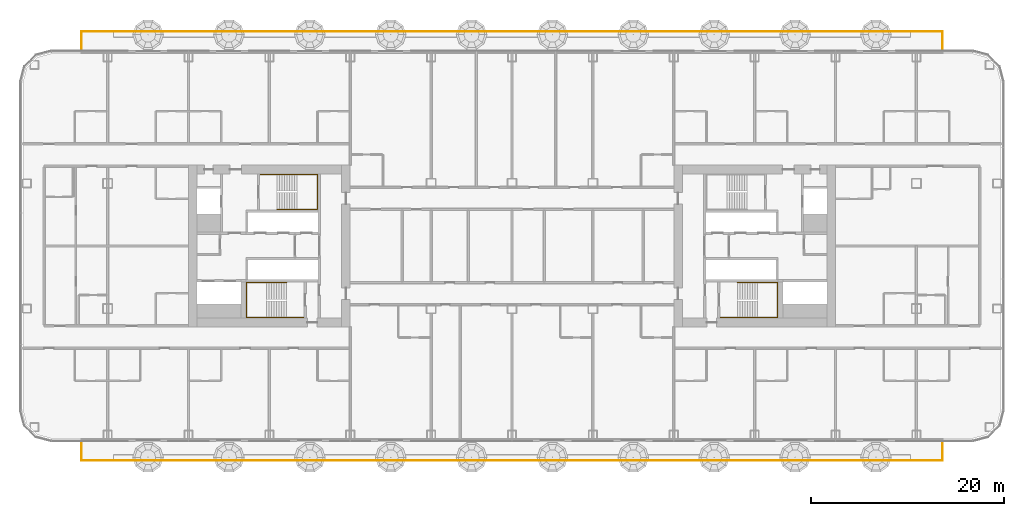
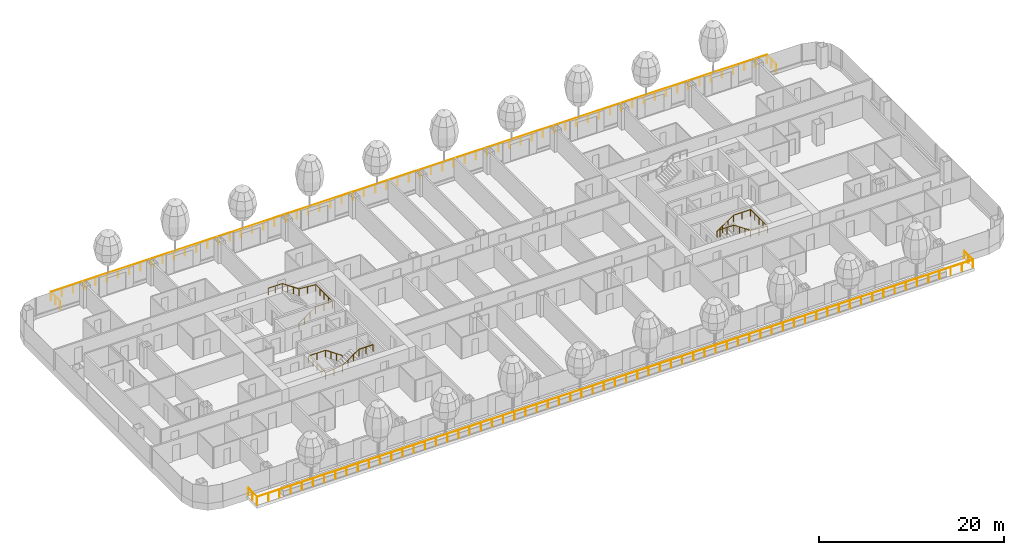
# One storey, part 28 of 35: 5 railings.
"""IFC4 building model written with IfcOpenShell, lengths in metres."""

import ifcopenshell
import ifcopenshell.guid

model = None  # the IFC model being written
_history = None  # IfcOwnerHistory: only IFC2X3 demands one
_inside = {}  # id of a spatial element -> (the spatial element, [elements in it])
_under = {}  # id of a project, library or spatial element -> (it, [spatial elements below it])
_declared = {}  # id of a project -> (the project, [libraries it declares])
_typed = {}  # id of a type object -> (the type object, [elements of that type])
_made_of = {}  # id of a material, layer set ... -> (it, [elements and type objects made of it])


def new_model(schema):
    """Start an empty IFC model of exactly this schema.

    Asked for "IFC4X3", IfcOpenShell would pick the latest addendum, in which some entities
    have other attributes; the version numbers below select the first issue.
    IFC2X3 requires an IfcOwnerHistory on every rooted entity: one is made here for all.
    """
    global model, _history
    if schema == "IFC4X3":
        model = ifcopenshell.file(schema_version=(4, 3, 0, 0))
    else:
        model = ifcopenshell.file(schema=schema)
    _inside.clear()
    _under.clear()
    _declared.clear()
    _typed.clear()
    _made_of.clear()
    _history = None
    if model.schema == "IFC2X3":
        org = make("IfcOrganization", Name="unknown")
        user = make(
            "IfcPersonAndOrganization",
            ThePerson=make("IfcPerson", FamilyName="unknown"),
            TheOrganization=org,
        )
        app = make(
            "IfcApplication",
            ApplicationDeveloper=org,
            Version="unknown",
            ApplicationFullName="unknown",
            ApplicationIdentifier="unknown",
        )
        _history = make(
            "IfcOwnerHistory",
            OwningUser=user,
            OwningApplication=app,
            ChangeAction="ADDED",
            CreationDate=0,
        )
    return model


def make(cls, **values):
    """One entity of the class cls with the attributes given. An attribute that is None is left unset."""
    return model.create_entity(
        cls, **{name: value for name, value in values.items() if value is not None}
    )


def rooted(cls, **values):
    """An entity with a GlobalId (a new one), such as an element, a storey or a relation."""
    return make(cls, GlobalId=ifcopenshell.guid.new(), OwnerHistory=_history, **values)


def si_unit(unit_type, name, prefix=None):
    """IfcSIUnit, for example si_unit("LENGTHUNIT", "METRE", prefix="MILLI")."""
    return make("IfcSIUnit", UnitType=unit_type, Prefix=prefix, Name=name)


def assignment(units):
    """IfcUnitAssignment: the units of a project."""
    return None if units is None else make("IfcUnitAssignment", Units=units)


def point(xyz):
    """IfcCartesianPoint."""
    return None if xyz is None else make("IfcCartesianPoint", Coordinates=xyz)


def direction(xyz):
    """IfcDirection."""
    return None if xyz is None else make("IfcDirection", DirectionRatios=xyz)


def frame(location, z_axis=None, x_axis=None):
    """IfcAxis2Placement3D, a coordinate frame: its origin and axes. An axis left out is left unset."""
    return make(
        "IfcAxis2Placement3D",
        Location=point(location),
        Axis=direction(z_axis),
        RefDirection=direction(x_axis),
    )


def frame_2d(location, x_axis=None):
    """IfcAxis2Placement2D, a coordinate frame in the plane: its origin and x axis."""
    return make(
        "IfcAxis2Placement2D", Location=point(location), RefDirection=direction(x_axis)
    )


def origin():
    """The frame at (0, 0, 0) with its axes left unset."""
    return frame((0.0, 0.0, 0.0))


def origin_2d():
    """The frame at (0, 0) in the plane with its x axis left unset."""
    return frame_2d((0.0, 0.0))


def place(relative_to, where):
    """IfcLocalPlacement: puts the frame where relative to a parent placement (None: the world)."""
    return make(
        "IfcLocalPlacement", PlacementRelTo=relative_to, RelativePlacement=where
    )


def context(
    kind, dimensions, precision=None, world=None, true_north=None, identifier=None
):
    """IfcGeometricRepresentationContext, for example the 3D "Model" context."""
    return make(
        "IfcGeometricRepresentationContext",
        ContextIdentifier=identifier,
        ContextType=kind,
        CoordinateSpaceDimension=dimensions,
        Precision=precision,
        WorldCoordinateSystem=world,
        TrueNorth=true_north,
    )


def subcontext(parent, identifier, kind, view, scale=None):
    """IfcGeometricRepresentationSubContext, for example "Body" below "Model"."""
    return make(
        "IfcGeometricRepresentationSubContext",
        ContextIdentifier=identifier,
        ContextType=kind,
        ParentContext=parent,
        TargetScale=scale,
        TargetView=view,
    )


def project(units=None, contexts=None):
    """IfcProject with its units and contexts."""
    return rooted(
        "IfcProject",
        Name="project",
        RepresentationContexts=contexts,
        UnitsInContext=assignment(units),
    )


def spatial(cls, under=None, at=None, **own):
    """A site, building, storey or space (cls), placed at a placement, below another one or the project."""
    s = rooted(cls, ObjectPlacement=at, **own)
    if under is not None:
        _under.setdefault(under.id(), (under, []))[1].append(s)
    return s


def profile(cls, at=None, kind="AREA", **sizes):
    """A parametric profile (cls). Its sizes go by their IFC names, for example OverallWidth=200.0."""
    return make(cls, ProfileType=kind, Position=at, **sizes)


def circle(**sizes):
    """IfcCircleProfileDef."""
    return profile("IfcCircleProfileDef", **sizes)


def extrude(swept, where, along, depth):
    """IfcExtrudedAreaSolid: the profile swept, set in the frame where, extruded along a direction by depth."""
    return make(
        "IfcExtrudedAreaSolid",
        SweptArea=swept,
        Position=where,
        ExtrudedDirection=direction(along),
        Depth=depth,
    )


def shape(context_of_items, identifier, shape_type, items):
    """IfcShapeRepresentation: the items that make up one representation, for example the "Body"."""
    return make(
        "IfcShapeRepresentation",
        ContextOfItems=context_of_items,
        RepresentationIdentifier=identifier,
        RepresentationType=shape_type,
        Items=items,
    )


def material(Name=None, Category=None):
    """IfcMaterial."""
    return make("IfcMaterial", Name=Name, Category=Category)


def made_of(thing, what):
    """Note that an element or type object is made of a material, layer set ...; save() writes the relation."""
    if what is not None:
        _made_of.setdefault(what.id(), (what, []))[1].append(thing)
    return thing


def type_object(cls, material=None, **own):
    """A type object (cls), such as IfcWallType, which elements share."""
    return made_of(rooted(cls, **own), material)


def element(
    cls,
    number,
    at=None,
    inside=None,
    cuts=None,
    type_object=None,
    material=None,
    context=None,
    identifier="Body",
    shape_type=None,
    held_by="IfcProductDefinitionShape",
    body=None,
    shapes=None,
    **own,
):
    """One element of the class cls, such as IfcWall. Its Tag is "e" and its number.

    at: its placement. inside: the storey or other place that contains it. cuts: it is an
    opening in that element (IfcRelVoidsElement). A single representation is given by context,
    identifier, shape_type and body (its items); several are given by shapes. held_by: the class
    of the entity that holds the representations. save() writes the other relations.
    """
    e = rooted(cls, Tag="e%d" % number, ObjectPlacement=at, **own)
    if body is not None:
        shapes = [shape(context, identifier, shape_type, body)]
    if shapes is not None:
        e.Representation = make(held_by, Representations=shapes)
    if inside is not None:
        _inside.setdefault(inside.id(), (inside, []))[1].append(e)
    if cuts is not None:
        rooted(
            "IfcRelVoidsElement", RelatingBuildingElement=cuts, RelatedOpeningElement=e
        )
    if type_object is not None:
        _typed.setdefault(type_object.id(), (type_object, []))[1].append(e)
    return made_of(e, material)


def aggregate(whole, parts):
    """IfcRelAggregates: a whole, such as a stair, and the parts it consists of."""
    return rooted("IfcRelAggregates", RelatingObject=whole, RelatedObjects=parts)


def save(model, path):
    """Write the relations noted so far, then the file.

    IfcRelAggregates (storeys below a building ...), IfcRelContainedInSpatialStructure (elements
    in a storey), IfcRelDefinesByType, IfcRelAssociatesMaterial and IfcRelDeclares: one each for
    every whole, place, type object, material and project.
    """
    for whole, parts in _under.values():
        aggregate(whole, parts)
    for where, things in _inside.values():
        rooted(
            "IfcRelContainedInSpatialStructure",
            RelatedElements=things,
            RelatingStructure=where,
        )
    for kind, things in _typed.values():
        rooted("IfcRelDefinesByType", RelatedObjects=things, RelatingType=kind)
    for what, things in _made_of.values():
        rooted("IfcRelAssociatesMaterial", RelatedObjects=things, RelatingMaterial=what)
    for by, libraries in _declared.values():
        rooted("IfcRelDeclares", RelatingContext=by, RelatedDefinitions=libraries)
    model.write(path)


model = new_model("IFC4")

# Units and contexts
model_context = context("Model", 3, precision=1e-05, world=origin(), true_north=direction((0.0, 1.0)))
body_context = subcontext(model_context, "Body", "Model", "MODEL_VIEW")
ifc_project = project(units=[si_unit("LENGTHUNIT", "METRE"), si_unit("AREAUNIT", "SQUARE_METRE"), si_unit("VOLUMEUNIT", "CUBIC_METRE"), si_unit("PLANEANGLEUNIT", "RADIAN"), si_unit("MASSUNIT", "GRAM", prefix="KILO")], contexts=[model_context])

# Site, building, storey
site_placement = place(None, origin())
site = spatial("IfcSite", under=ifc_project, at=site_placement, CompositionType="ELEMENT")
building_placement = place(site_placement, origin())
building = spatial("IfcBuilding", under=site, at=building_placement, Name="Hakoniwa Tower and Hamabe Station Hall", CompositionType="ELEMENT")
storey_placement = place(building_placement, frame((0.0, 0.0, 51.800048828125)))
storey = spatial("IfcBuildingStorey", under=building, at=storey_placement, Name="L14", CompositionType="ELEMENT", Elevation=51.800048828125)

# Railings
ifc_material_1 = material(Name="Stainless steel and laminated glass", Category="steel")
railing_type_1 = type_object("IfcRailingType", Name="BALCONY BALUSTRADE 1100", PredefinedType="BALUSTRADE", material=ifc_material_1)
railing_1_placement = place(storey_placement, frame((-44.699951171875, 20.300048828125, 0.0)))
element("IfcRailing", 1, at=railing_1_placement, inside=storey, type_object=railing_type_1, Name="Balcony balustrade", PredefinedType="BALUSTRADE", context=body_context, shape_type="SweptSolid", body=[
    extrude(circle(Radius=0.02392578125, at=origin_2d()), frame((0.0, 0.0, 1.076171875), z_axis=(0.0, 1.0, 0.0), x_axis=(-1.0, 0.0, 0.0)), (0.0, 0.0, 1.0), 2.0),
    extrude(circle(Radius=0.02392578125, at=origin_2d()), frame((0.0, 2.0, 1.076171875), z_axis=(1.0, 0.0, 0.0), x_axis=(0.0, 1.0, 0.0)), (0.0, 0.0, 1.0), 89.39990234375),
    extrude(circle(Radius=0.02392578125, at=origin_2d()), frame((89.39990234375, 2.0, 1.076171875), z_axis=(0.0, -1.0, 0.0), x_axis=(1.0, 0.0, 0.0)), (0.0, 0.0, 1.0), 2.0),
    extrude(circle(Radius=0.02099609375, at=origin_2d()), origin(), (0.0, 0.0, 1.0), 1.052001953125),
    extrude(circle(Radius=0.02099609375, at=origin_2d()), frame((0.0, 1.0, 0.0)), (0.0, 0.0, 1.0), 1.052001953125),
    extrude(circle(Radius=0.02099609375, at=origin_2d()), frame((0.0, 2.0, 0.0)), (0.0, 0.0, 1.0), 1.052001953125),
    extrude(circle(Radius=0.02099609375, at=origin_2d()), frame((1.39697265625, 2.0, 0.0)), (0.0, 0.0, 1.0), 1.052001953125),
    extrude(circle(Radius=0.02099609375, at=origin_2d()), frame((2.793701171875, 2.0, 0.0)), (0.0, 0.0, 1.0), 1.052001953125),
    extrude(circle(Radius=0.02099609375, at=origin_2d()), frame((4.190673828125, 2.0, 0.0)), (0.0, 0.0, 1.0), 1.052001953125),
    extrude(circle(Radius=0.02099609375, at=origin_2d()), frame((5.58740234375, 2.0, 0.0)), (0.0, 0.0, 1.0), 1.052001953125),
    extrude(circle(Radius=0.02099609375, at=origin_2d()), frame((6.984375, 2.0, 0.0)), (0.0, 0.0, 1.0), 1.052001953125),
    extrude(circle(Radius=0.02099609375, at=origin_2d()), frame((8.38134765625, 2.0, 0.0)), (0.0, 0.0, 1.0), 1.052001953125),
    extrude(circle(Radius=0.02099609375, at=origin_2d()), frame((9.778076171875, 2.0, 0.0)), (0.0, 0.0, 1.0), 1.052001953125),
    extrude(circle(Radius=0.02099609375, at=origin_2d()), frame((11.175048828125, 2.0, 0.0)), (0.0, 0.0, 1.0), 1.052001953125),
    extrude(circle(Radius=0.02099609375, at=origin_2d()), frame((12.57177734375, 2.0, 0.0)), (0.0, 0.0, 1.0), 1.052001953125),
    extrude(circle(Radius=0.02099609375, at=origin_2d()), frame((13.96875, 2.0, 0.0)), (0.0, 0.0, 1.0), 1.052001953125),
    extrude(circle(Radius=0.02099609375, at=origin_2d()), frame((15.36572265625, 2.0, 0.0)), (0.0, 0.0, 1.0), 1.052001953125),
    extrude(circle(Radius=0.02099609375, at=origin_2d()), frame((16.762451171875, 2.0, 0.0)), (0.0, 0.0, 1.0), 1.052001953125),
    extrude(circle(Radius=0.02099609375, at=origin_2d()), frame((18.159423828125, 2.0, 0.0)), (0.0, 0.0, 1.0), 1.052001953125),
    extrude(circle(Radius=0.02099609375, at=origin_2d()), frame((19.55615234375, 2.0, 0.0)), (0.0, 0.0, 1.0), 1.052001953125),
    extrude(circle(Radius=0.02099609375, at=origin_2d()), frame((20.953125, 2.0, 0.0)), (0.0, 0.0, 1.0), 1.052001953125),
    extrude(circle(Radius=0.02099609375, at=origin_2d()), frame((22.35009765625, 2.0, 0.0)), (0.0, 0.0, 1.0), 1.052001953125),
    extrude(circle(Radius=0.02099609375, at=origin_2d()), frame((23.746826171875, 2.0, 0.0)), (0.0, 0.0, 1.0), 1.052001953125),
    extrude(circle(Radius=0.02099609375, at=origin_2d()), frame((25.143798828125, 2.0, 0.0)), (0.0, 0.0, 1.0), 1.052001953125),
    extrude(circle(Radius=0.02099609375, at=origin_2d()), frame((26.54052734375, 2.0, 0.0)), (0.0, 0.0, 1.0), 1.052001953125),
    extrude(circle(Radius=0.02099609375, at=origin_2d()), frame((27.9375, 2.0, 0.0)), (0.0, 0.0, 1.0), 1.052001953125),
    extrude(circle(Radius=0.02099609375, at=origin_2d()), frame((29.334228515625, 2.0, 0.0)), (0.0, 0.0, 1.0), 1.052001953125),
    extrude(circle(Radius=0.02099609375, at=origin_2d()), frame((30.731201171875, 2.0, 0.0)), (0.0, 0.0, 1.0), 1.052001953125),
    extrude(circle(Radius=0.02099609375, at=origin_2d()), frame((32.128173828125, 2.0, 0.0)), (0.0, 0.0, 1.0), 1.052001953125),
    extrude(circle(Radius=0.02099609375, at=origin_2d()), frame((33.52490234375, 2.0, 0.0)), (0.0, 0.0, 1.0), 1.052001953125),
    extrude(circle(Radius=0.02099609375, at=origin_2d()), frame((34.921875, 2.0, 0.0)), (0.0, 0.0, 1.0), 1.052001953125),
    extrude(circle(Radius=0.02099609375, at=origin_2d()), frame((36.318603515625, 2.0, 0.0)), (0.0, 0.0, 1.0), 1.052001953125),
    extrude(circle(Radius=0.02099609375, at=origin_2d()), frame((37.715576171875, 2.0, 0.0)), (0.0, 0.0, 1.0), 1.052001953125),
    extrude(circle(Radius=0.02099609375, at=origin_2d()), frame((39.112548828125, 2.0, 0.0)), (0.0, 0.0, 1.0), 1.052001953125),
    extrude(circle(Radius=0.02099609375, at=origin_2d()), frame((40.50927734375, 2.0, 0.0)), (0.0, 0.0, 1.0), 1.052001953125),
    extrude(circle(Radius=0.02099609375, at=origin_2d()), frame((41.90625, 2.0, 0.0)), (0.0, 0.0, 1.0), 1.052001953125),
    extrude(circle(Radius=0.02099609375, at=origin_2d()), frame((43.302978515625, 2.0, 0.0)), (0.0, 0.0, 1.0), 1.052001953125),
    extrude(circle(Radius=0.02099609375, at=origin_2d()), frame((44.699951171875, 2.0, 0.0)), (0.0, 0.0, 1.0), 1.052001953125),
    extrude(circle(Radius=0.02099609375, at=origin_2d()), frame((46.096923828125, 2.0, 0.0)), (0.0, 0.0, 1.0), 1.052001953125),
    extrude(circle(Radius=0.02099609375, at=origin_2d()), frame((47.49365234375, 2.0, 0.0)), (0.0, 0.0, 1.0), 1.052001953125),
    extrude(circle(Radius=0.02099609375, at=origin_2d()), frame((48.890625, 2.0, 0.0)), (0.0, 0.0, 1.0), 1.052001953125),
    extrude(circle(Radius=0.02099609375, at=origin_2d()), frame((50.287353515625, 2.0, 0.0)), (0.0, 0.0, 1.0), 1.052001953125),
    extrude(circle(Radius=0.02099609375, at=origin_2d()), frame((51.684326171875, 2.0, 0.0)), (0.0, 0.0, 1.0), 1.052001953125),
    extrude(circle(Radius=0.02099609375, at=origin_2d()), frame((53.081298828125, 2.0, 0.0)), (0.0, 0.0, 1.0), 1.052001953125),
    extrude(circle(Radius=0.02099609375, at=origin_2d()), frame((54.47802734375, 2.0, 0.0)), (0.0, 0.0, 1.0), 1.052001953125),
    extrude(circle(Radius=0.02099609375, at=origin_2d()), frame((55.875, 2.0, 0.0)), (0.0, 0.0, 1.0), 1.052001953125),
    extrude(circle(Radius=0.02099609375, at=origin_2d()), frame((57.271728515625, 2.0, 0.0)), (0.0, 0.0, 1.0), 1.052001953125),
    extrude(circle(Radius=0.02099609375, at=origin_2d()), frame((58.668701171875, 2.0, 0.0)), (0.0, 0.0, 1.0), 1.052001953125),
    extrude(circle(Radius=0.02099609375, at=origin_2d()), frame((60.065673828125, 2.0, 0.0)), (0.0, 0.0, 1.0), 1.052001953125),
    extrude(circle(Radius=0.02099609375, at=origin_2d()), frame((61.46240234375, 2.0, 0.0)), (0.0, 0.0, 1.0), 1.052001953125),
    extrude(circle(Radius=0.02099609375, at=origin_2d()), frame((62.859375, 2.0, 0.0)), (0.0, 0.0, 1.0), 1.052001953125),
    extrude(circle(Radius=0.02099609375, at=origin_2d()), frame((64.256103515625, 2.0, 0.0)), (0.0, 0.0, 1.0), 1.052001953125),
    extrude(circle(Radius=0.02099609375, at=origin_2d()), frame((65.653076171875, 2.0, 0.0)), (0.0, 0.0, 1.0), 1.052001953125),
    extrude(circle(Radius=0.02099609375, at=origin_2d()), frame((67.0498046875, 2.0, 0.0)), (0.0, 0.0, 1.0), 1.052001953125),
    extrude(circle(Radius=0.02099609375, at=origin_2d()), frame((68.44677734375, 2.0, 0.0)), (0.0, 0.0, 1.0), 1.052001953125),
    extrude(circle(Radius=0.02099609375, at=origin_2d()), frame((69.84375, 2.0, 0.0)), (0.0, 0.0, 1.0), 1.052001953125),
    extrude(circle(Radius=0.02099609375, at=origin_2d()), frame((71.240478515625, 2.0, 0.0)), (0.0, 0.0, 1.0), 1.052001953125),
    extrude(circle(Radius=0.02099609375, at=origin_2d()), frame((72.637451171875, 2.0, 0.0)), (0.0, 0.0, 1.0), 1.052001953125),
    extrude(circle(Radius=0.02099609375, at=origin_2d()), frame((74.0341796875, 2.0, 0.0)), (0.0, 0.0, 1.0), 1.052001953125),
    extrude(circle(Radius=0.02099609375, at=origin_2d()), frame((75.43115234375, 2.0, 0.0)), (0.0, 0.0, 1.0), 1.052001953125),
    extrude(circle(Radius=0.02099609375, at=origin_2d()), frame((76.828125, 2.0, 0.0)), (0.0, 0.0, 1.0), 1.052001953125),
    extrude(circle(Radius=0.02099609375, at=origin_2d()), frame((78.224853515625, 2.0, 0.0)), (0.0, 0.0, 1.0), 1.052001953125),
    extrude(circle(Radius=0.02099609375, at=origin_2d()), frame((79.621826171875, 2.0, 0.0)), (0.0, 0.0, 1.0), 1.052001953125),
    extrude(circle(Radius=0.02099609375, at=origin_2d()), frame((81.0185546875, 2.0, 0.0)), (0.0, 0.0, 1.0), 1.052001953125),
    extrude(circle(Radius=0.02099609375, at=origin_2d()), frame((82.41552734375, 2.0, 0.0)), (0.0, 0.0, 1.0), 1.052001953125),
    extrude(circle(Radius=0.02099609375, at=origin_2d()), frame((83.8125, 2.0, 0.0)), (0.0, 0.0, 1.0), 1.052001953125),
    extrude(circle(Radius=0.02099609375, at=origin_2d()), frame((85.209228515625, 2.0, 0.0)), (0.0, 0.0, 1.0), 1.052001953125),
    extrude(circle(Radius=0.02099609375, at=origin_2d()), frame((86.606201171875, 2.0, 0.0)), (0.0, 0.0, 1.0), 1.052001953125),
    extrude(circle(Radius=0.02099609375, at=origin_2d()), frame((88.0029296875, 2.0, 0.0)), (0.0, 0.0, 1.0), 1.052001953125),
    extrude(circle(Radius=0.02099609375, at=origin_2d()), frame((89.39990234375, 2.0, 0.0)), (0.0, 0.0, 1.0), 1.052001953125),
    extrude(circle(Radius=0.02099609375, at=origin_2d()), frame((89.39990234375, 1.0, 0.0)), (0.0, 0.0, 1.0), 1.052001953125),
    extrude(circle(Radius=0.02099609375, at=origin_2d()), frame((89.39990234375, 0.0, 0.0)), (0.0, 0.0, 1.0), 1.052001953125),
])
railing_2_placement = place(storey_placement, frame((-44.699951171875, -20.300048828125, 0.0)))
element("IfcRailing", 2, at=railing_2_placement, inside=storey, type_object=railing_type_1, Name="Balcony balustrade", PredefinedType="BALUSTRADE", context=body_context, shape_type="SweptSolid", body=[
    extrude(circle(Radius=0.02392578125, at=origin_2d()), frame((0.0, 0.0, 1.076171875), z_axis=(0.0, -1.0, 0.0), x_axis=(1.0, 0.0, 0.0)), (0.0, 0.0, 1.0), 2.0),
    extrude(circle(Radius=0.02392578125, at=origin_2d()), frame((0.0, -2.0, 1.076171875), z_axis=(1.0, 0.0, 0.0), x_axis=(0.0, 1.0, 0.0)), (0.0, 0.0, 1.0), 89.39990234375),
    extrude(circle(Radius=0.02392578125, at=origin_2d()), frame((89.39990234375, -2.0, 1.076171875), z_axis=(0.0, 1.0, 0.0), x_axis=(-1.0, 0.0, 0.0)), (0.0, 0.0, 1.0), 2.0),
    extrude(circle(Radius=0.02099609375, at=origin_2d()), origin(), (0.0, 0.0, 1.0), 1.052001953125),
    extrude(circle(Radius=0.02099609375, at=origin_2d()), frame((0.0, -1.0, 0.0)), (0.0, 0.0, 1.0), 1.052001953125),
    extrude(circle(Radius=0.02099609375, at=origin_2d()), frame((0.0, -2.0, 0.0)), (0.0, 0.0, 1.0), 1.052001953125),
    extrude(circle(Radius=0.02099609375, at=origin_2d()), frame((1.39697265625, -2.0, 0.0)), (0.0, 0.0, 1.0), 1.052001953125),
    extrude(circle(Radius=0.02099609375, at=origin_2d()), frame((2.793701171875, -2.0, 0.0)), (0.0, 0.0, 1.0), 1.052001953125),
    extrude(circle(Radius=0.02099609375, at=origin_2d()), frame((4.190673828125, -2.0, 0.0)), (0.0, 0.0, 1.0), 1.052001953125),
    extrude(circle(Radius=0.02099609375, at=origin_2d()), frame((5.58740234375, -2.0, 0.0)), (0.0, 0.0, 1.0), 1.052001953125),
    extrude(circle(Radius=0.02099609375, at=origin_2d()), frame((6.984375, -2.0, 0.0)), (0.0, 0.0, 1.0), 1.052001953125),
    extrude(circle(Radius=0.02099609375, at=origin_2d()), frame((8.38134765625, -2.0, 0.0)), (0.0, 0.0, 1.0), 1.052001953125),
    extrude(circle(Radius=0.02099609375, at=origin_2d()), frame((9.778076171875, -2.0, 0.0)), (0.0, 0.0, 1.0), 1.052001953125),
    extrude(circle(Radius=0.02099609375, at=origin_2d()), frame((11.175048828125, -2.0, 0.0)), (0.0, 0.0, 1.0), 1.052001953125),
    extrude(circle(Radius=0.02099609375, at=origin_2d()), frame((12.57177734375, -2.0, 0.0)), (0.0, 0.0, 1.0), 1.052001953125),
    extrude(circle(Radius=0.02099609375, at=origin_2d()), frame((13.96875, -2.0, 0.0)), (0.0, 0.0, 1.0), 1.052001953125),
    extrude(circle(Radius=0.02099609375, at=origin_2d()), frame((15.36572265625, -2.0, 0.0)), (0.0, 0.0, 1.0), 1.052001953125),
    extrude(circle(Radius=0.02099609375, at=origin_2d()), frame((16.762451171875, -2.0, 0.0)), (0.0, 0.0, 1.0), 1.052001953125),
    extrude(circle(Radius=0.02099609375, at=origin_2d()), frame((18.159423828125, -2.0, 0.0)), (0.0, 0.0, 1.0), 1.052001953125),
    extrude(circle(Radius=0.02099609375, at=origin_2d()), frame((19.55615234375, -2.0, 0.0)), (0.0, 0.0, 1.0), 1.052001953125),
    extrude(circle(Radius=0.02099609375, at=origin_2d()), frame((20.953125, -2.0, 0.0)), (0.0, 0.0, 1.0), 1.052001953125),
    extrude(circle(Radius=0.02099609375, at=origin_2d()), frame((22.35009765625, -2.0, 0.0)), (0.0, 0.0, 1.0), 1.052001953125),
    extrude(circle(Radius=0.02099609375, at=origin_2d()), frame((23.746826171875, -2.0, 0.0)), (0.0, 0.0, 1.0), 1.052001953125),
    extrude(circle(Radius=0.02099609375, at=origin_2d()), frame((25.143798828125, -2.0, 0.0)), (0.0, 0.0, 1.0), 1.052001953125),
    extrude(circle(Radius=0.02099609375, at=origin_2d()), frame((26.54052734375, -2.0, 0.0)), (0.0, 0.0, 1.0), 1.052001953125),
    extrude(circle(Radius=0.02099609375, at=origin_2d()), frame((27.9375, -2.0, 0.0)), (0.0, 0.0, 1.0), 1.052001953125),
    extrude(circle(Radius=0.02099609375, at=origin_2d()), frame((29.334228515625, -2.0, 0.0)), (0.0, 0.0, 1.0), 1.052001953125),
    extrude(circle(Radius=0.02099609375, at=origin_2d()), frame((30.731201171875, -2.0, 0.0)), (0.0, 0.0, 1.0), 1.052001953125),
    extrude(circle(Radius=0.02099609375, at=origin_2d()), frame((32.128173828125, -2.0, 0.0)), (0.0, 0.0, 1.0), 1.052001953125),
    extrude(circle(Radius=0.02099609375, at=origin_2d()), frame((33.52490234375, -2.0, 0.0)), (0.0, 0.0, 1.0), 1.052001953125),
    extrude(circle(Radius=0.02099609375, at=origin_2d()), frame((34.921875, -2.0, 0.0)), (0.0, 0.0, 1.0), 1.052001953125),
    extrude(circle(Radius=0.02099609375, at=origin_2d()), frame((36.318603515625, -2.0, 0.0)), (0.0, 0.0, 1.0), 1.052001953125),
    extrude(circle(Radius=0.02099609375, at=origin_2d()), frame((37.715576171875, -2.0, 0.0)), (0.0, 0.0, 1.0), 1.052001953125),
    extrude(circle(Radius=0.02099609375, at=origin_2d()), frame((39.112548828125, -2.0, 0.0)), (0.0, 0.0, 1.0), 1.052001953125),
    extrude(circle(Radius=0.02099609375, at=origin_2d()), frame((40.50927734375, -2.0, 0.0)), (0.0, 0.0, 1.0), 1.052001953125),
    extrude(circle(Radius=0.02099609375, at=origin_2d()), frame((41.90625, -2.0, 0.0)), (0.0, 0.0, 1.0), 1.052001953125),
    extrude(circle(Radius=0.02099609375, at=origin_2d()), frame((43.302978515625, -2.0, 0.0)), (0.0, 0.0, 1.0), 1.052001953125),
    extrude(circle(Radius=0.02099609375, at=origin_2d()), frame((44.699951171875, -2.0, 0.0)), (0.0, 0.0, 1.0), 1.052001953125),
    extrude(circle(Radius=0.02099609375, at=origin_2d()), frame((46.096923828125, -2.0, 0.0)), (0.0, 0.0, 1.0), 1.052001953125),
    extrude(circle(Radius=0.02099609375, at=origin_2d()), frame((47.49365234375, -2.0, 0.0)), (0.0, 0.0, 1.0), 1.052001953125),
    extrude(circle(Radius=0.02099609375, at=origin_2d()), frame((48.890625, -2.0, 0.0)), (0.0, 0.0, 1.0), 1.052001953125),
    extrude(circle(Radius=0.02099609375, at=origin_2d()), frame((50.287353515625, -2.0, 0.0)), (0.0, 0.0, 1.0), 1.052001953125),
    extrude(circle(Radius=0.02099609375, at=origin_2d()), frame((51.684326171875, -2.0, 0.0)), (0.0, 0.0, 1.0), 1.052001953125),
    extrude(circle(Radius=0.02099609375, at=origin_2d()), frame((53.081298828125, -2.0, 0.0)), (0.0, 0.0, 1.0), 1.052001953125),
    extrude(circle(Radius=0.02099609375, at=origin_2d()), frame((54.47802734375, -2.0, 0.0)), (0.0, 0.0, 1.0), 1.052001953125),
    extrude(circle(Radius=0.02099609375, at=origin_2d()), frame((55.875, -2.0, 0.0)), (0.0, 0.0, 1.0), 1.052001953125),
    extrude(circle(Radius=0.02099609375, at=origin_2d()), frame((57.271728515625, -2.0, 0.0)), (0.0, 0.0, 1.0), 1.052001953125),
    extrude(circle(Radius=0.02099609375, at=origin_2d()), frame((58.668701171875, -2.0, 0.0)), (0.0, 0.0, 1.0), 1.052001953125),
    extrude(circle(Radius=0.02099609375, at=origin_2d()), frame((60.065673828125, -2.0, 0.0)), (0.0, 0.0, 1.0), 1.052001953125),
    extrude(circle(Radius=0.02099609375, at=origin_2d()), frame((61.46240234375, -2.0, 0.0)), (0.0, 0.0, 1.0), 1.052001953125),
    extrude(circle(Radius=0.02099609375, at=origin_2d()), frame((62.859375, -2.0, 0.0)), (0.0, 0.0, 1.0), 1.052001953125),
    extrude(circle(Radius=0.02099609375, at=origin_2d()), frame((64.256103515625, -2.0, 0.0)), (0.0, 0.0, 1.0), 1.052001953125),
    extrude(circle(Radius=0.02099609375, at=origin_2d()), frame((65.653076171875, -2.0, 0.0)), (0.0, 0.0, 1.0), 1.052001953125),
    extrude(circle(Radius=0.02099609375, at=origin_2d()), frame((67.0498046875, -2.0, 0.0)), (0.0, 0.0, 1.0), 1.052001953125),
    extrude(circle(Radius=0.02099609375, at=origin_2d()), frame((68.44677734375, -2.0, 0.0)), (0.0, 0.0, 1.0), 1.052001953125),
    extrude(circle(Radius=0.02099609375, at=origin_2d()), frame((69.84375, -2.0, 0.0)), (0.0, 0.0, 1.0), 1.052001953125),
    extrude(circle(Radius=0.02099609375, at=origin_2d()), frame((71.240478515625, -2.0, 0.0)), (0.0, 0.0, 1.0), 1.052001953125),
    extrude(circle(Radius=0.02099609375, at=origin_2d()), frame((72.637451171875, -2.0, 0.0)), (0.0, 0.0, 1.0), 1.052001953125),
    extrude(circle(Radius=0.02099609375, at=origin_2d()), frame((74.0341796875, -2.0, 0.0)), (0.0, 0.0, 1.0), 1.052001953125),
    extrude(circle(Radius=0.02099609375, at=origin_2d()), frame((75.43115234375, -2.0, 0.0)), (0.0, 0.0, 1.0), 1.052001953125),
    extrude(circle(Radius=0.02099609375, at=origin_2d()), frame((76.828125, -2.0, 0.0)), (0.0, 0.0, 1.0), 1.052001953125),
    extrude(circle(Radius=0.02099609375, at=origin_2d()), frame((78.224853515625, -2.0, 0.0)), (0.0, 0.0, 1.0), 1.052001953125),
    extrude(circle(Radius=0.02099609375, at=origin_2d()), frame((79.621826171875, -2.0, 0.0)), (0.0, 0.0, 1.0), 1.052001953125),
    extrude(circle(Radius=0.02099609375, at=origin_2d()), frame((81.0185546875, -2.0, 0.0)), (0.0, 0.0, 1.0), 1.052001953125),
    extrude(circle(Radius=0.02099609375, at=origin_2d()), frame((82.41552734375, -2.0, 0.0)), (0.0, 0.0, 1.0), 1.052001953125),
    extrude(circle(Radius=0.02099609375, at=origin_2d()), frame((83.8125, -2.0, 0.0)), (0.0, 0.0, 1.0), 1.052001953125),
    extrude(circle(Radius=0.02099609375, at=origin_2d()), frame((85.209228515625, -2.0, 0.0)), (0.0, 0.0, 1.0), 1.052001953125),
    extrude(circle(Radius=0.02099609375, at=origin_2d()), frame((86.606201171875, -2.0, 0.0)), (0.0, 0.0, 1.0), 1.052001953125),
    extrude(circle(Radius=0.02099609375, at=origin_2d()), frame((88.0029296875, -2.0, 0.0)), (0.0, 0.0, 1.0), 1.052001953125),
    extrude(circle(Radius=0.02099609375, at=origin_2d()), frame((89.39990234375, -2.0, 0.0)), (0.0, 0.0, 1.0), 1.052001953125),
    extrude(circle(Radius=0.02099609375, at=origin_2d()), frame((89.39990234375, -1.0, 0.0)), (0.0, 0.0, 1.0), 1.052001953125),
    extrude(circle(Radius=0.02099609375, at=origin_2d()), frame((89.39990234375, 0.0, 0.0)), (0.0, 0.0, 1.0), 1.052001953125),
])
ifc_material_2 = material(Name="Stainless steel SUS304", Category="steel")
railing_type_2 = type_object("IfcRailingType", Name="STAIR HANDRAIL 900", PredefinedType="HANDRAIL", material=ifc_material_2)
railing_3_placement = place(storey_placement, frame((-24.39990234375, 3.81005859375, 0.177734375)))
element("IfcRailing", 3, at=railing_3_placement, inside=storey, type_object=railing_type_2, Name="Handrail ST-1 L14 1", PredefinedType="HANDRAIL", context=body_context, shape_type="SweptSolid", body=[
    extrude(circle(Radius=0.02392578125, at=origin_2d()), frame((0.0, 0.0, 0.8759765625), z_axis=(0.825478349766, 0.0, 0.564433781827), x_axis=(0.0, 1.0, 0.0)), (0.0, 0.0, 1.0), 2.51953125),
    extrude(circle(Radius=0.02392578125, at=origin_2d()), frame((2.079833984375, 0.0, 2.2978515625), z_axis=(1.0, 0.0, 0.0), x_axis=(0.0, 1.0, 0.0)), (0.0, 0.0, 1.0), 2.110107421875),
    extrude(circle(Radius=0.02392578125, at=origin_2d()), frame((4.18994140625, 0.0, 2.2978515625), z_axis=(0.0, 1.0, 0.0), x_axis=(-1.0, 0.0, 0.0)), (0.0, 0.0, 1.0), 3.6298828125),
    extrude(circle(Radius=0.02392578125, at=origin_2d()), frame((4.18994140625, 3.6298828125, 2.2978515625), z_axis=(-0.996461767938, 0.0, 0.084047278587), x_axis=(0.0, -1.0, 0.0)), (0.0, 0.0, 1.0), 2.11767578125),
    extrude(circle(Radius=0.02392578125, at=origin_2d()), frame((2.079833984375, 3.6298828125, 2.47607421875), z_axis=(-0.825478349766, 0.0, 0.564433781827), x_axis=(0.0, -1.0, 0.0)), (0.0, 0.0, 1.0), 2.51953125),
    extrude(circle(Radius=0.02392578125, at=origin_2d()), frame((0.0, 3.6298828125, 3.89794921875), z_axis=(-1.0, 0.0, 0.0), x_axis=(0.0, -1.0, 0.0)), (0.0, 0.0, 1.0), 1.739990234375),
    extrude(circle(Radius=0.02099609375, at=origin_2d()), origin(), (0.0, 0.0, 1.0), 0.851806640625),
    extrude(circle(Radius=0.02099609375, at=origin_2d()), frame((0.693359375, 0.0, 0.47412109375)), (0.0, 0.0, 1.0), 0.851806640625),
    extrude(circle(Radius=0.02099609375, at=origin_2d()), frame((1.386474609375, 0.0, 0.947998046875)), (0.0, 0.0, 1.0), 0.851806640625),
    extrude(circle(Radius=0.02099609375, at=origin_2d()), frame((2.079833984375, 0.0, 1.422119140625)), (0.0, 0.0, 1.0), 0.851806640625),
    extrude(circle(Radius=0.02099609375, at=origin_2d()), frame((3.134765625, 0.0, 1.422119140625)), (0.0, 0.0, 1.0), 0.851806640625),
    extrude(circle(Radius=0.02099609375, at=origin_2d()), frame((4.18994140625, 0.0, 1.422119140625)), (0.0, 0.0, 1.0), 0.851806640625),
    extrude(circle(Radius=0.02099609375, at=origin_2d()), frame((4.18994140625, 0.907470703125, 1.422119140625)), (0.0, 0.0, 1.0), 0.851806640625),
    extrude(circle(Radius=0.02099609375, at=origin_2d()), frame((4.18994140625, 1.81494140625, 1.422119140625)), (0.0, 0.0, 1.0), 0.851806640625),
    extrude(circle(Radius=0.02099609375, at=origin_2d()), frame((4.18994140625, 2.722412109375, 1.422119140625)), (0.0, 0.0, 1.0), 0.851806640625),
    extrude(circle(Radius=0.02099609375, at=origin_2d()), frame((4.18994140625, 3.6298828125, 1.422119140625)), (0.0, 0.0, 1.0), 0.851806640625),
    extrude(circle(Radius=0.02099609375, at=origin_2d()), frame((3.134765625, 3.6298828125, 1.51123046875)), (0.0, 0.0, 1.0), 0.851806640625),
    extrude(circle(Radius=0.02099609375, at=origin_2d()), frame((2.079833984375, 3.6298828125, 1.60009765625)), (0.0, 0.0, 1.0), 0.851806640625),
    extrude(circle(Radius=0.02099609375, at=origin_2d()), frame((1.386474609375, 3.6298828125, 2.07421875)), (0.0, 0.0, 1.0), 0.851806640625),
    extrude(circle(Radius=0.02099609375, at=origin_2d()), frame((0.693359375, 3.6298828125, 2.548095703125)), (0.0, 0.0, 1.0), 0.851806640625),
    extrude(circle(Radius=0.02099609375, at=origin_2d()), frame((0.0, 3.6298828125, 3.022216796875)), (0.0, 0.0, 1.0), 0.851806640625),
    extrude(circle(Radius=0.02099609375, at=origin_2d()), frame((-0.8701171875, 3.6298828125, 3.022216796875)), (0.0, 0.0, 1.0), 0.851806640625),
    extrude(circle(Radius=0.02099609375, at=origin_2d()), frame((-1.739990234375, 3.6298828125, 3.022216796875)), (0.0, 0.0, 1.0), 0.851806640625),
])
railing_4_placement = place(storey_placement, frame((-23.39990234375, -3.81005859375, 0.177734375)))
element("IfcRailing", 4, at=railing_4_placement, inside=storey, type_object=railing_type_2, Name="Handrail ST-2 L14 1", PredefinedType="HANDRAIL", context=body_context, shape_type="SweptSolid", body=[
    extrude(circle(Radius=0.02392578125, at=origin_2d()), frame((0.0, 0.0, 0.8759765625), z_axis=(-0.82550921652, 0.0, 0.564388636881), x_axis=(0.0, -1.0, 0.0)), (0.0, 0.0, 1.0), 2.519775390625),
    extrude(circle(Radius=0.02392578125, at=origin_2d()), frame((-2.080078125, 0.0, 2.2978515625), z_axis=(-1.0, 0.0, 0.0), x_axis=(0.0, -1.0, 0.0)), (0.0, 0.0, 1.0), 2.110107421875),
    extrude(circle(Radius=0.02392578125, at=origin_2d()), frame((-4.190185546875, 0.0, 2.2978515625), z_axis=(0.0, -1.0, 0.0), x_axis=(1.0, 0.0, 0.0)), (0.0, 0.0, 1.0), 3.6298828125),
    extrude(circle(Radius=0.02392578125, at=origin_2d()), frame((-4.190185546875, -3.6298828125, 2.2978515625), z_axis=(0.996461767938, 0.0, 0.084047278587), x_axis=(0.0, 1.0, 0.0)), (0.0, 0.0, 1.0), 2.11767578125),
    extrude(circle(Radius=0.02392578125, at=origin_2d()), frame((-2.080078125, -3.6298828125, 2.47607421875), z_axis=(0.82550921652, 0.0, 0.564388636881), x_axis=(0.0, 1.0, 0.0)), (0.0, 0.0, 1.0), 2.519775390625),
    extrude(circle(Radius=0.02392578125, at=origin_2d()), frame((0.0, -3.6298828125, 3.89794921875), z_axis=(1.0, 0.0, 0.0), x_axis=(0.0, 1.0, 0.0)), (0.0, 0.0, 1.0), 1.739990234375),
    extrude(circle(Radius=0.02099609375, at=origin_2d()), origin(), (0.0, 0.0, 1.0), 0.851806640625),
    extrude(circle(Radius=0.02099609375, at=origin_2d()), frame((-0.693359375, 0.0, 0.47412109375)), (0.0, 0.0, 1.0), 0.851806640625),
    extrude(circle(Radius=0.02099609375, at=origin_2d()), frame((-1.38671875, 0.0, 0.947998046875)), (0.0, 0.0, 1.0), 0.851806640625),
    extrude(circle(Radius=0.02099609375, at=origin_2d()), frame((-2.080078125, 0.0, 1.422119140625)), (0.0, 0.0, 1.0), 0.851806640625),
    extrude(circle(Radius=0.02099609375, at=origin_2d()), frame((-3.13525390625, 0.0, 1.422119140625)), (0.0, 0.0, 1.0), 0.851806640625),
    extrude(circle(Radius=0.02099609375, at=origin_2d()), frame((-4.190185546875, 0.0, 1.422119140625)), (0.0, 0.0, 1.0), 0.851806640625),
    extrude(circle(Radius=0.02099609375, at=origin_2d()), frame((-4.190185546875, -0.907470703125, 1.422119140625)), (0.0, 0.0, 1.0), 0.851806640625),
    extrude(circle(Radius=0.02099609375, at=origin_2d()), frame((-4.190185546875, -1.81494140625, 1.422119140625)), (0.0, 0.0, 1.0), 0.851806640625),
    extrude(circle(Radius=0.02099609375, at=origin_2d()), frame((-4.190185546875, -2.722412109375, 1.422119140625)), (0.0, 0.0, 1.0), 0.851806640625),
    extrude(circle(Radius=0.02099609375, at=origin_2d()), frame((-4.190185546875, -3.6298828125, 1.422119140625)), (0.0, 0.0, 1.0), 0.851806640625),
    extrude(circle(Radius=0.02099609375, at=origin_2d()), frame((-3.13525390625, -3.6298828125, 1.51123046875)), (0.0, 0.0, 1.0), 0.851806640625),
    extrude(circle(Radius=0.02099609375, at=origin_2d()), frame((-2.080078125, -3.6298828125, 1.60009765625)), (0.0, 0.0, 1.0), 0.851806640625),
    extrude(circle(Radius=0.02099609375, at=origin_2d()), frame((-1.38671875, -3.6298828125, 2.07421875)), (0.0, 0.0, 1.0), 0.851806640625),
    extrude(circle(Radius=0.02099609375, at=origin_2d()), frame((-0.693359375, -3.6298828125, 2.548095703125)), (0.0, 0.0, 1.0), 0.851806640625),
    extrude(circle(Radius=0.02099609375, at=origin_2d()), frame((0.0, -3.6298828125, 3.022216796875)), (0.0, 0.0, 1.0), 0.851806640625),
    extrude(circle(Radius=0.02099609375, at=origin_2d()), frame((0.8701171875, -3.6298828125, 3.022216796875)), (0.0, 0.0, 1.0), 0.851806640625),
    extrude(circle(Radius=0.02099609375, at=origin_2d()), frame((1.739990234375, -3.6298828125, 3.022216796875)), (0.0, 0.0, 1.0), 0.851806640625),
])
railing_5_placement = place(storey_placement, frame((23.39990234375, -3.81005859375, 0.177734375)))
element("IfcRailing", 5, at=railing_5_placement, inside=storey, type_object=railing_type_2, Name="Handrail ST-4 L14 1", PredefinedType="HANDRAIL", context=body_context, shape_type="SweptSolid", body=[
    extrude(circle(Radius=0.02392578125, at=origin_2d()), frame((0.0, 0.0, 0.8759765625), z_axis=(0.82550921652, 0.0, 0.564388636881), x_axis=(0.0, 1.0, 0.0)), (0.0, 0.0, 1.0), 2.519775390625),
    extrude(circle(Radius=0.02392578125, at=origin_2d()), frame((2.080078125, 0.0, 2.2978515625), z_axis=(1.0, 0.0, 0.0), x_axis=(0.0, 1.0, 0.0)), (0.0, 0.0, 1.0), 2.110107421875),
    extrude(circle(Radius=0.02392578125, at=origin_2d()), frame((4.190185546875, 0.0, 2.2978515625), z_axis=(0.0, -1.0, 0.0), x_axis=(1.0, 0.0, 0.0)), (0.0, 0.0, 1.0), 3.6298828125),
    extrude(circle(Radius=0.02392578125, at=origin_2d()), frame((4.190185546875, -3.6298828125, 2.2978515625), z_axis=(-0.996461767938, 0.0, 0.084047278587), x_axis=(0.0, -1.0, 0.0)), (0.0, 0.0, 1.0), 2.11767578125),
    extrude(circle(Radius=0.02392578125, at=origin_2d()), frame((2.080078125, -3.6298828125, 2.47607421875), z_axis=(-0.82550921652, 0.0, 0.564388636881), x_axis=(0.0, -1.0, 0.0)), (0.0, 0.0, 1.0), 2.519775390625),
    extrude(circle(Radius=0.02392578125, at=origin_2d()), frame((0.0, -3.6298828125, 3.89794921875), z_axis=(-1.0, 0.0, 0.0), x_axis=(0.0, -1.0, 0.0)), (0.0, 0.0, 1.0), 1.739990234375),
    extrude(circle(Radius=0.02099609375, at=origin_2d()), origin(), (0.0, 0.0, 1.0), 0.851806640625),
    extrude(circle(Radius=0.02099609375, at=origin_2d()), frame((0.693359375, 0.0, 0.47412109375)), (0.0, 0.0, 1.0), 0.851806640625),
    extrude(circle(Radius=0.02099609375, at=origin_2d()), frame((1.38671875, 0.0, 0.947998046875)), (0.0, 0.0, 1.0), 0.851806640625),
    extrude(circle(Radius=0.02099609375, at=origin_2d()), frame((2.080078125, 0.0, 1.422119140625)), (0.0, 0.0, 1.0), 0.851806640625),
    extrude(circle(Radius=0.02099609375, at=origin_2d()), frame((3.13525390625, 0.0, 1.422119140625)), (0.0, 0.0, 1.0), 0.851806640625),
    extrude(circle(Radius=0.02099609375, at=origin_2d()), frame((4.190185546875, 0.0, 1.422119140625)), (0.0, 0.0, 1.0), 0.851806640625),
    extrude(circle(Radius=0.02099609375, at=origin_2d()), frame((4.190185546875, -0.907470703125, 1.422119140625)), (0.0, 0.0, 1.0), 0.851806640625),
    extrude(circle(Radius=0.02099609375, at=origin_2d()), frame((4.190185546875, -1.81494140625, 1.422119140625)), (0.0, 0.0, 1.0), 0.851806640625),
    extrude(circle(Radius=0.02099609375, at=origin_2d()), frame((4.190185546875, -2.722412109375, 1.422119140625)), (0.0, 0.0, 1.0), 0.851806640625),
    extrude(circle(Radius=0.02099609375, at=origin_2d()), frame((4.190185546875, -3.6298828125, 1.422119140625)), (0.0, 0.0, 1.0), 0.851806640625),
    extrude(circle(Radius=0.02099609375, at=origin_2d()), frame((3.13525390625, -3.6298828125, 1.51123046875)), (0.0, 0.0, 1.0), 0.851806640625),
    extrude(circle(Radius=0.02099609375, at=origin_2d()), frame((2.080078125, -3.6298828125, 1.60009765625)), (0.0, 0.0, 1.0), 0.851806640625),
    extrude(circle(Radius=0.02099609375, at=origin_2d()), frame((1.38671875, -3.6298828125, 2.07421875)), (0.0, 0.0, 1.0), 0.851806640625),
    extrude(circle(Radius=0.02099609375, at=origin_2d()), frame((0.693359375, -3.6298828125, 2.548095703125)), (0.0, 0.0, 1.0), 0.851806640625),
    extrude(circle(Radius=0.02099609375, at=origin_2d()), frame((0.0, -3.6298828125, 3.022216796875)), (0.0, 0.0, 1.0), 0.851806640625),
    extrude(circle(Radius=0.02099609375, at=origin_2d()), frame((-0.8701171875, -3.6298828125, 3.022216796875)), (0.0, 0.0, 1.0), 0.851806640625),
    extrude(circle(Radius=0.02099609375, at=origin_2d()), frame((-1.739990234375, -3.6298828125, 3.022216796875)), (0.0, 0.0, 1.0), 0.851806640625),
])

save(model, "model.ifc")
